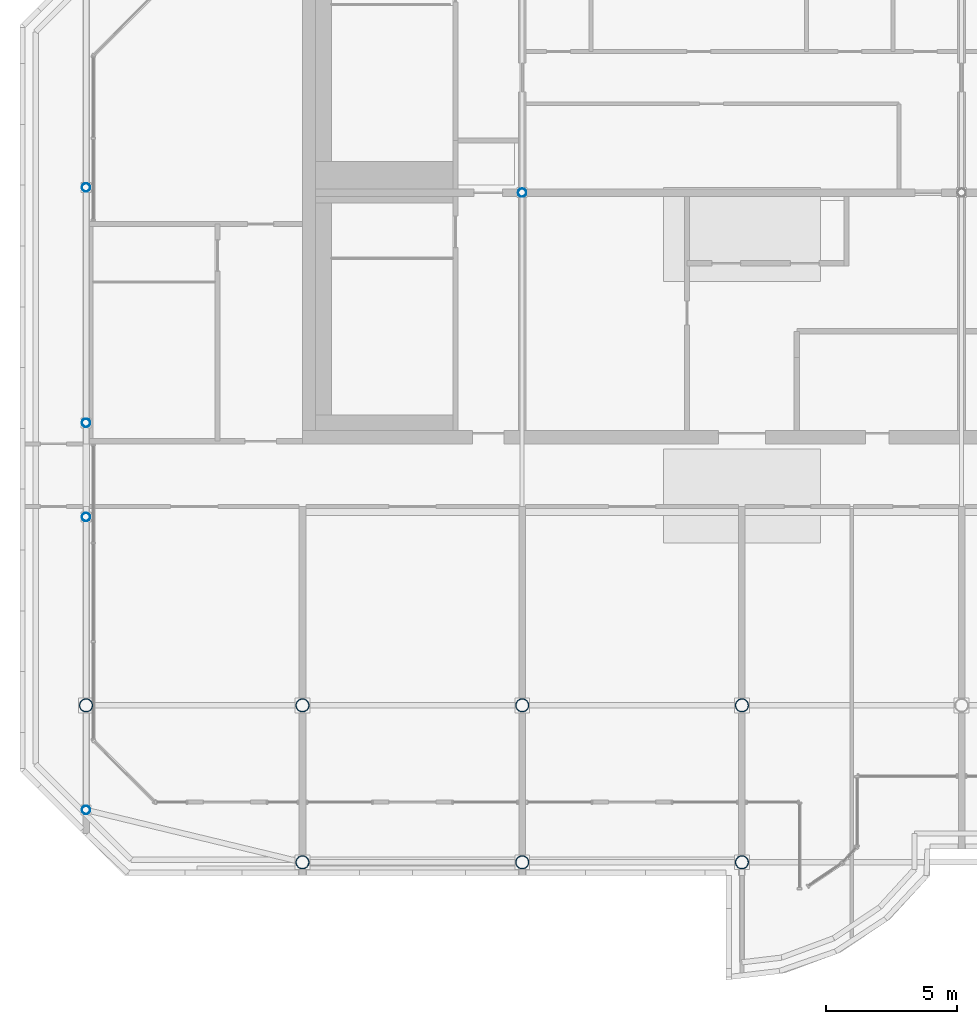
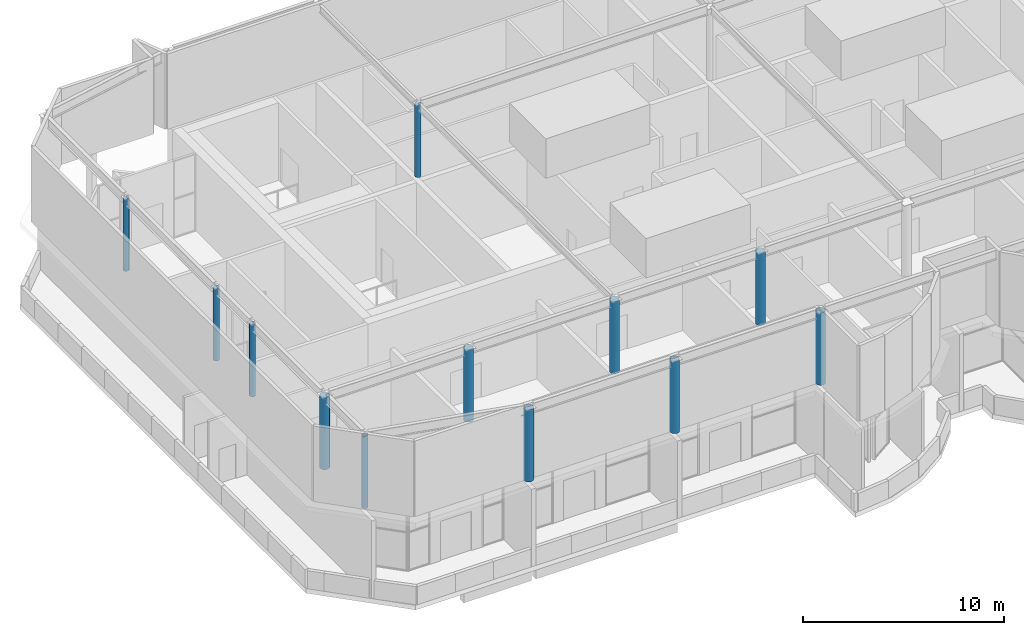
# One storey, part 1 of 25: 12 columns.
"""IFC4 building model written with IfcOpenShell, lengths in metres."""

import ifcopenshell
import ifcopenshell.guid

model = None  # the IFC model being written
_history = None  # IfcOwnerHistory: only IFC2X3 demands one
_inside = {}  # id of a spatial element -> (the spatial element, [elements in it])
_under = {}  # id of a project, library or spatial element -> (it, [spatial elements below it])
_declared = {}  # id of a project -> (the project, [libraries it declares])
_typed = {}  # id of a type object -> (the type object, [elements of that type])
_made_of = {}  # id of a material, layer set ... -> (it, [elements and type objects made of it])


def new_model(schema):
    """Start an empty IFC model of exactly this schema.

    Asked for "IFC4X3", IfcOpenShell would pick the latest addendum, in which some entities
    have other attributes; the version numbers below select the first issue.
    IFC2X3 requires an IfcOwnerHistory on every rooted entity: one is made here for all.
    """
    global model, _history
    if schema == "IFC4X3":
        model = ifcopenshell.file(schema_version=(4, 3, 0, 0))
    else:
        model = ifcopenshell.file(schema=schema)
    _inside.clear()
    _under.clear()
    _declared.clear()
    _typed.clear()
    _made_of.clear()
    _history = None
    if model.schema == "IFC2X3":
        org = make("IfcOrganization", Name="unknown")
        user = make(
            "IfcPersonAndOrganization",
            ThePerson=make("IfcPerson", FamilyName="unknown"),
            TheOrganization=org,
        )
        app = make(
            "IfcApplication",
            ApplicationDeveloper=org,
            Version="unknown",
            ApplicationFullName="unknown",
            ApplicationIdentifier="unknown",
        )
        _history = make(
            "IfcOwnerHistory",
            OwningUser=user,
            OwningApplication=app,
            ChangeAction="ADDED",
            CreationDate=0,
        )
    return model


def make(cls, **values):
    """One entity of the class cls with the attributes given. An attribute that is None is left unset."""
    return model.create_entity(
        cls, **{name: value for name, value in values.items() if value is not None}
    )


def rooted(cls, **values):
    """An entity with a GlobalId (a new one), such as an element, a storey or a relation."""
    return make(cls, GlobalId=ifcopenshell.guid.new(), OwnerHistory=_history, **values)


def si_unit(unit_type, name, prefix=None):
    """IfcSIUnit, for example si_unit("LENGTHUNIT", "METRE", prefix="MILLI")."""
    return make("IfcSIUnit", UnitType=unit_type, Prefix=prefix, Name=name)


def assignment(units):
    """IfcUnitAssignment: the units of a project."""
    return None if units is None else make("IfcUnitAssignment", Units=units)


def point(xyz):
    """IfcCartesianPoint."""
    return None if xyz is None else make("IfcCartesianPoint", Coordinates=xyz)


def direction(xyz):
    """IfcDirection."""
    return None if xyz is None else make("IfcDirection", DirectionRatios=xyz)


def frame(location, z_axis=None, x_axis=None):
    """IfcAxis2Placement3D, a coordinate frame: its origin and axes. An axis left out is left unset."""
    return make(
        "IfcAxis2Placement3D",
        Location=point(location),
        Axis=direction(z_axis),
        RefDirection=direction(x_axis),
    )


def frame_2d(location, x_axis=None):
    """IfcAxis2Placement2D, a coordinate frame in the plane: its origin and x axis."""
    return make(
        "IfcAxis2Placement2D", Location=point(location), RefDirection=direction(x_axis)
    )


def origin():
    """The frame at (0, 0, 0) with its axes left unset."""
    return frame((0.0, 0.0, 0.0))


def origin_2d():
    """The frame at (0, 0) in the plane with its x axis left unset."""
    return frame_2d((0.0, 0.0))


def place(relative_to, where):
    """IfcLocalPlacement: puts the frame where relative to a parent placement (None: the world)."""
    return make(
        "IfcLocalPlacement", PlacementRelTo=relative_to, RelativePlacement=where
    )


def context(
    kind, dimensions, precision=None, world=None, true_north=None, identifier=None
):
    """IfcGeometricRepresentationContext, for example the 3D "Model" context."""
    return make(
        "IfcGeometricRepresentationContext",
        ContextIdentifier=identifier,
        ContextType=kind,
        CoordinateSpaceDimension=dimensions,
        Precision=precision,
        WorldCoordinateSystem=world,
        TrueNorth=true_north,
    )


def subcontext(parent, identifier, kind, view, scale=None):
    """IfcGeometricRepresentationSubContext, for example "Body" below "Model"."""
    return make(
        "IfcGeometricRepresentationSubContext",
        ContextIdentifier=identifier,
        ContextType=kind,
        ParentContext=parent,
        TargetScale=scale,
        TargetView=view,
    )


def project(units=None, contexts=None):
    """IfcProject with its units and contexts."""
    return rooted(
        "IfcProject",
        Name="project",
        RepresentationContexts=contexts,
        UnitsInContext=assignment(units),
    )


def spatial(cls, under=None, at=None, **own):
    """A site, building, storey or space (cls), placed at a placement, below another one or the project."""
    s = rooted(cls, ObjectPlacement=at, **own)
    if under is not None:
        _under.setdefault(under.id(), (under, []))[1].append(s)
    return s


def profile(cls, at=None, kind="AREA", **sizes):
    """A parametric profile (cls). Its sizes go by their IFC names, for example OverallWidth=200.0."""
    return make(cls, ProfileType=kind, Position=at, **sizes)


def hollow_circle(**sizes):
    """IfcCircleHollowProfileDef."""
    return profile("IfcCircleHollowProfileDef", **sizes)


def extrude(swept, where, along, depth):
    """IfcExtrudedAreaSolid: the profile swept, set in the frame where, extruded along a direction by depth."""
    return make(
        "IfcExtrudedAreaSolid",
        SweptArea=swept,
        Position=where,
        ExtrudedDirection=direction(along),
        Depth=depth,
    )


def shape(context_of_items, identifier, shape_type, items):
    """IfcShapeRepresentation: the items that make up one representation, for example the "Body"."""
    return make(
        "IfcShapeRepresentation",
        ContextOfItems=context_of_items,
        RepresentationIdentifier=identifier,
        RepresentationType=shape_type,
        Items=items,
    )


def source(mapping_origin, context_of_items, identifier, shape_type, items):
    """IfcRepresentationMap: a shape defined once, which mapped items show again and again."""
    return make(
        "IfcRepresentationMap",
        MappingOrigin=mapping_origin,
        MappedRepresentation=shape(context_of_items, identifier, shape_type, items),
    )


def transform(
    local_origin,
    x_axis=None,
    y_axis=None,
    z_axis=None,
    scale=None,
    scale2=None,
    scale3=None,
    uniform=True,
):
    """IfcCartesianTransformationOperator3D, or its non-uniform kind. x_axis, y_axis, z_axis: its Axis1, 2, 3."""
    if uniform:
        return make(
            "IfcCartesianTransformationOperator3D",
            Axis1=direction(x_axis),
            Axis2=direction(y_axis),
            LocalOrigin=point(local_origin),
            Scale=scale,
            Axis3=direction(z_axis),
        )
    return make(
        "IfcCartesianTransformationOperator3DnonUniform",
        Axis1=direction(x_axis),
        Axis2=direction(y_axis),
        LocalOrigin=point(local_origin),
        Scale=scale,
        Axis3=direction(z_axis),
        Scale2=scale2,
        Scale3=scale3,
    )


def mapped(mapping_source, mapping_target):
    """IfcMappedItem: shows the shape of a source again, moved by a transform."""
    return make(
        "IfcMappedItem", MappingSource=mapping_source, MappingTarget=mapping_target
    )


def material(Name=None, Category=None):
    """IfcMaterial."""
    return make("IfcMaterial", Name=Name, Category=Category)


def material_profile(
    of_material, cross_section, Name=None, Category=None, Priority=None
):
    """IfcMaterialProfile: a cross section and its material."""
    return make(
        "IfcMaterialProfile",
        Name=Name,
        Material=of_material,
        Profile=cross_section,
        Priority=Priority,
        Category=Category,
    )


def profile_set(profiles, Name=None, composite=None):
    """IfcMaterialProfileSet."""
    return make(
        "IfcMaterialProfileSet",
        Name=Name,
        MaterialProfiles=profiles,
        CompositeProfile=composite,
    )


def made_of(thing, what):
    """Note that an element or type object is made of a material, layer set ...; save() writes the relation."""
    if what is not None:
        _made_of.setdefault(what.id(), (what, []))[1].append(thing)
    return thing


def type_object(cls, material=None, **own):
    """A type object (cls), such as IfcWallType, which elements share."""
    return made_of(rooted(cls, **own), material)


def element(
    cls,
    number,
    at=None,
    inside=None,
    cuts=None,
    type_object=None,
    material=None,
    context=None,
    identifier="Body",
    shape_type=None,
    held_by="IfcProductDefinitionShape",
    body=None,
    shapes=None,
    **own,
):
    """One element of the class cls, such as IfcWall. Its Tag is "e" and its number.

    at: its placement. inside: the storey or other place that contains it. cuts: it is an
    opening in that element (IfcRelVoidsElement). A single representation is given by context,
    identifier, shape_type and body (its items); several are given by shapes. held_by: the class
    of the entity that holds the representations. save() writes the other relations.
    """
    e = rooted(cls, Tag="e%d" % number, ObjectPlacement=at, **own)
    if body is not None:
        shapes = [shape(context, identifier, shape_type, body)]
    if shapes is not None:
        e.Representation = make(held_by, Representations=shapes)
    if inside is not None:
        _inside.setdefault(inside.id(), (inside, []))[1].append(e)
    if cuts is not None:
        rooted(
            "IfcRelVoidsElement", RelatingBuildingElement=cuts, RelatedOpeningElement=e
        )
    if type_object is not None:
        _typed.setdefault(type_object.id(), (type_object, []))[1].append(e)
    return made_of(e, material)


def aggregate(whole, parts):
    """IfcRelAggregates: a whole, such as a stair, and the parts it consists of."""
    return rooted("IfcRelAggregates", RelatingObject=whole, RelatedObjects=parts)


def save(model, path):
    """Write the relations noted so far, then the file.

    IfcRelAggregates (storeys below a building ...), IfcRelContainedInSpatialStructure (elements
    in a storey), IfcRelDefinesByType, IfcRelAssociatesMaterial and IfcRelDeclares: one each for
    every whole, place, type object, material and project.
    """
    for whole, parts in _under.values():
        aggregate(whole, parts)
    for where, things in _inside.values():
        rooted(
            "IfcRelContainedInSpatialStructure",
            RelatedElements=things,
            RelatingStructure=where,
        )
    for kind, things in _typed.values():
        rooted("IfcRelDefinesByType", RelatedObjects=things, RelatingType=kind)
    for what, things in _made_of.values():
        rooted("IfcRelAssociatesMaterial", RelatedObjects=things, RelatingMaterial=what)
    for by, libraries in _declared.values():
        rooted("IfcRelDeclares", RelatingContext=by, RelatedDefinitions=libraries)
    model.write(path)


model = new_model("IFC4")

# Units and contexts
model_context = context("Model", 3, precision=1e-05, world=origin(), true_north=direction((0.0, 1.0)))
body_context = subcontext(model_context, "Body", "Model", "MODEL_VIEW")
ifc_project = project(units=[si_unit("LENGTHUNIT", "METRE"), si_unit("AREAUNIT", "SQUARE_METRE"), si_unit("VOLUMEUNIT", "CUBIC_METRE"), si_unit("PLANEANGLEUNIT", "RADIAN"), si_unit("MASSUNIT", "GRAM", prefix="KILO")], contexts=[model_context])

# Site, building, storey
site_placement = place(None, origin())
site = spatial("IfcSite", under=ifc_project, at=site_placement, CompositionType="ELEMENT")
building_placement = place(site_placement, origin())
building = spatial("IfcBuilding", under=site, at=building_placement, Name="Vanashikhar Sky Hotel", CompositionType="ELEMENT")
storey_placement = place(building_placement, frame((0.0, 0.0, 329.699951171875)))
storey = spatial("IfcBuildingStorey", under=building, at=storey_placement, Name="L78", CompositionType="ELEMENT", Elevation=329.699951171875)

# Columns
ifc_material = material(Name="Steel S355", Category="steel")
ifc_material_profile_1 = material_profile(ifc_material, hollow_circle(Radius=0.25390625, WallThickness=0.02001953125, at=origin_2d()))
ifc_profile_set_1 = profile_set([ifc_material_profile_1], Name="CHS 508x20 Steel S355")
column_type_1 = type_object("IfcColumnType", Name="CHS 508x20 Steel S355", PredefinedType="COLUMN", material=ifc_profile_set_1)
shared_shape_1 = source(origin(), body_context, "Body", "SweptSolid", [
    extrude(hollow_circle(Radius=0.25390625, WallThickness=0.02001953125, at=origin_2d()), origin(), (0.0, 0.0, 1.0), 4.400146484375),
])
for number, where, z_axis, x_axis, name in (
    (1, (25.199951171875, 6.0, 5.0), (0.0, 0.0, 1.0), (1.0, 0.0, 0.0), "CP-L78-F01"),
    (2, (33.60009765625, 6.0, 5.0), (0.0, 0.0, 1.0), (1.0, 0.0, 0.0), "CP-L78-F02"),
    (3, (42.0, 6.0, 5.0), (0.0, 0.0, 1.0), (1.0, 0.0, 0.0), "CP-L78-F03"),
    (4, (16.925048828125, 12.0, 5.0), (0.0, 0.0, 1.0), (1.0, 0.0, 0.0), "CP-L78-F07"),
    (5, (25.199951171875, 12.0, 5.0), (0.0, 0.0, 1.0), (1.0, 0.0, 0.0), "CP-L78-F08"),
    (6, (33.60009765625, 12.0, 5.0), (0.0, 0.0, 1.0), (1.0, 0.0, 0.0), "CP-L78-F09"),
    (7, (42.0, 12.0, 5.0), (0.0, 0.0, 1.0), (1.0, 0.0, 0.0), "CP-L78-F10"),
):
    element("IfcColumn", number, at=place(storey_placement, frame(where, z_axis=z_axis, x_axis=x_axis)), inside=storey, type_object=column_type_1, Name=name, PredefinedType="COLUMN", context=body_context, shape_type="MappedRepresentation", body=[
        mapped(shared_shape_1, transform((0.0, 0.0, 0.0), scale=1.0)),
    ])
ifc_material_profile_2 = material_profile(ifc_material, hollow_circle(Radius=0.162109375, WallThickness=0.011962890625, at=origin_2d()))
ifc_profile_set_2 = profile_set([ifc_material_profile_2], Name="CHS 324x12 Steel S355")
column_type_2 = type_object("IfcColumnType", Name="CHS 324x12 Steel S355", PredefinedType="COLUMN", material=ifc_profile_set_2)
shared_shape_2 = source(origin(), body_context, "Body", "SweptSolid", [
    extrude(hollow_circle(Radius=0.162109375, WallThickness=0.011962890625, at=origin_2d()), origin(), (0.0, 0.0, 1.0), 4.400146484375),
])
for number, where, z_axis, x_axis, name in (
    (8, (16.925048828125, 8.0, 5.0), (0.0, 0.0, 1.0), (1.0, 0.0, 0.0), "CP-L78-W101"),
    (9, (16.925048828125, 19.199951171875, 5.0), (0.0, 0.0, 1.0), (1.0, 0.0, 0.0), "CP-L78-W103"),
    (10, (16.925048828125, 22.800048828125, 5.0), (0.0, 0.0, 1.0), (1.0, 0.0, 0.0), "CP-L78-W104"),
    (11, (16.925048828125, 31.800048828125, 5.0), (0.0, 0.0, 1.0), (1.0, 0.0, 0.0), "CP-L78-W105"),
    (12, (33.60009765625, 31.60009765625, 5.0), (0.0, 0.0, 1.0), (1.0, 0.0, 0.0), "CP-L78-M01"),
):
    element("IfcColumn", number, at=place(storey_placement, frame(where, z_axis=z_axis, x_axis=x_axis)), inside=storey, type_object=column_type_2, Name=name, PredefinedType="COLUMN", context=body_context, shape_type="MappedRepresentation", body=[
        mapped(shared_shape_2, transform((0.0, 0.0, 0.0), scale=1.0)),
    ])

save(model, "model.ifc")
